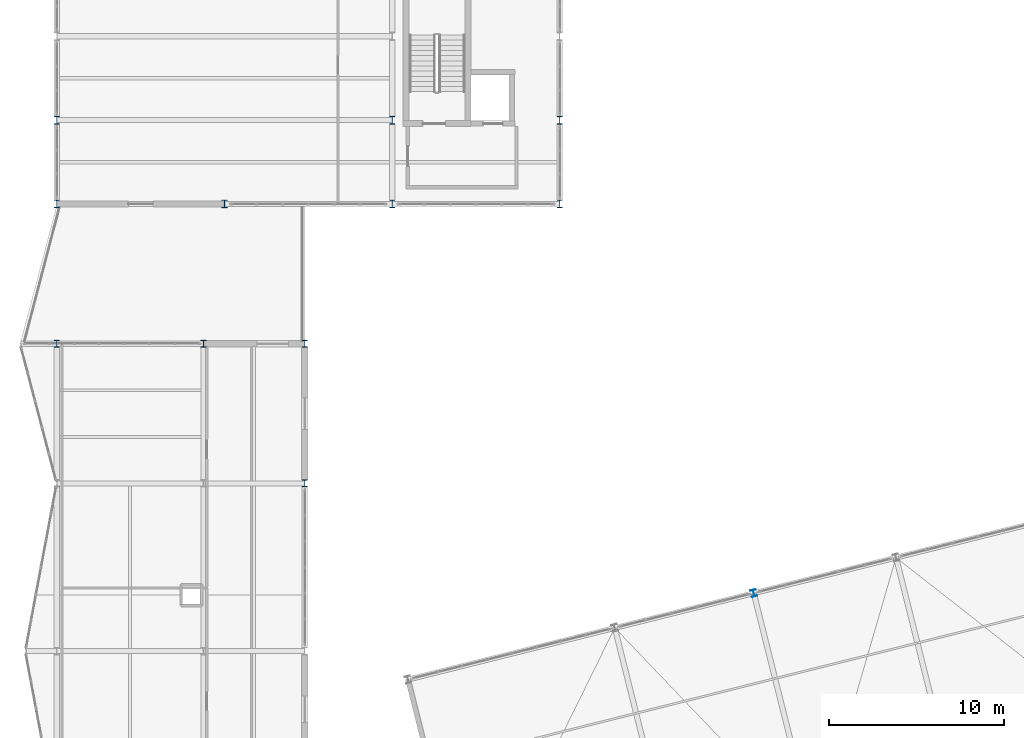
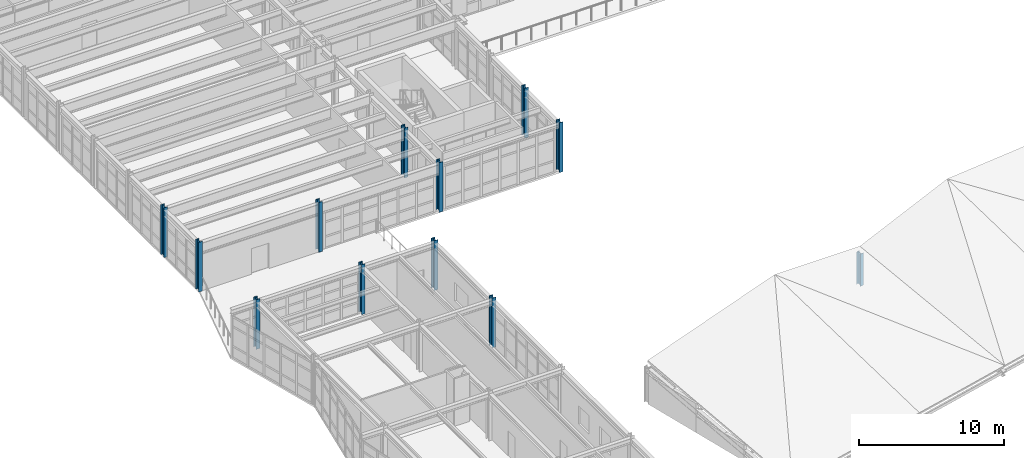
# One storey, part 2 of 47: 12 columns.
"""IFC4 building model written with IfcOpenShell, lengths in metres."""

from ifc_helpers import new_model, si_unit, direction, frame, origin, origin_2d, place, context, subcontext, project, spatial, i_section, extrude, material, material_profile, profile_set, type_object, element, save


model = new_model("IFC4")

# Units and contexts
model_context = context("Model", 3, precision=1e-05, world=origin(), true_north=direction((0.0, 1.0)))
body_context = subcontext(model_context, "Body", "Model", "MODEL_VIEW")
ifc_project = project(units=[si_unit("LENGTHUNIT", "METRE"), si_unit("AREAUNIT", "SQUARE_METRE"), si_unit("VOLUMEUNIT", "CUBIC_METRE"), si_unit("PLANEANGLEUNIT", "RADIAN"), si_unit("MASSUNIT", "GRAM", prefix="KILO")], contexts=[model_context])

# Site, building, storey
site_placement = place(None, origin())
site = spatial("IfcSite", under=ifc_project, at=site_placement, CompositionType="ELEMENT")
building_placement = place(site_placement, origin())
building = spatial("IfcBuilding", under=site, at=building_placement, Name="Nordkorset Police Headquarters", CompositionType="ELEMENT")
storey_placement = place(building_placement, frame((0.0, 0.0, 22.050048828125)))
storey = spatial("IfcBuildingStorey", under=building, at=storey_placement, Name="L05", CompositionType="ELEMENT", Elevation=22.050048828125)

# Columns
ifc_material_1 = material(Name="Steel S355J2", Category="steel")
ifc_material_profile_1 = material_profile(ifc_material_1, i_section(OverallWidth=0.300048828125, OverallDepth=0.39990234375, WebThickness=0.013427734375, FlangeThickness=0.02392578125, FilletRadius=0.027099609375, at=origin_2d()), Name="HEB 400")
ifc_profile_set_1 = profile_set([ifc_material_profile_1], Name="Steel S355J2")
column_type_1 = type_object("IfcColumnType", Name="Col_HEB_400", PredefinedType="COLUMN", material=ifc_profile_set_1)
for number, where, z_axis, x_axis, name in (
    (1, (14.199951171875, 67.199951171875, 0.0), (0.0, 0.0, 1.0), (1.0, 0.0, 0.0), "Structural Column V3_X2_4 L05"),
    (2, (0.0, 75.199951171875, 0.0), (0.0, 0.0, 1.0), (1.0, 0.0, 0.0), "Structural Column V3_X0_5 L05"),
    (3, (8.39990234375, 75.199951171875, 0.0), (0.0, 0.0, 1.0), (1.0, 0.0, 0.0), "Structural Column V3_X1_5 L05"),
    (4, (14.199951171875, 75.199951171875, 0.0), (0.0, 0.0, 1.0), (1.0, 0.0, 0.0), "Structural Column V3_X2_5 L05"),
):
    element("IfcColumn", number, at=place(storey_placement, frame(where, z_axis=z_axis, x_axis=x_axis)), inside=storey, type_object=column_type_1, Name=name, PredefinedType="COLUMN", context=body_context, shape_type="SweptSolid", body=[
        extrude(i_section(OverallWidth=0.300048828125, OverallDepth=0.39990234375, WebThickness=0.013427734375, FlangeThickness=0.02392578125, FilletRadius=0.027099609375, at=origin_2d()), origin(), (0.0, 0.0, 1.0), 4.199951171875),
    ])
column_placement = place(storey_placement, frame((39.8984375, 60.917724609375, 0.0), z_axis=(0.0, 0.0, 1.0), x_axis=(0.970142500145, 0.242535625038, 0.0)))
element("IfcColumn", 5, at=column_placement, inside=storey, type_object=column_type_1, Name="Splayed Wing Clerestory Roof Column V4_U2_V1 L05", PredefinedType="COLUMN", context=body_context, shape_type="SweptSolid", body=[
    extrude(i_section(OverallWidth=0.300048828125, OverallDepth=0.39990234375, WebThickness=0.013427734375, FlangeThickness=0.02392578125, FilletRadius=0.027099609375, at=origin_2d()), origin(), (0.0, 0.0, 1.0), 2.719970703125),
])
ifc_material_2 = material(Name="Steel S355J2", Category="steel")
ifc_material_profile_2 = material_profile(ifc_material_2, i_section(OverallWidth=0.300048828125, OverallDepth=0.449951171875, WebThickness=0.013916015625, FlangeThickness=0.02587890625, FilletRadius=0.027099609375, at=origin_2d()), Name="HEB 450")
ifc_profile_set_2 = profile_set([ifc_material_profile_2], Name="Steel S355J2")
column_type_2 = type_object("IfcColumnType", Name="Col_HEB_450", PredefinedType="COLUMN", material=ifc_profile_set_2)
for number, where, z_axis, x_axis, name in (
    (6, (0.0, 83.199951171875, 0.0), (0.0, 0.0, 1.0), (1.0, 0.0, 0.0), "Structural Column V1_W_0 L05"),
    (7, (28.800048828125, 83.199951171875, 0.0), (0.0, 0.0, 1.0), (1.0, 0.0, 0.0), "Structural Column V1_E_0 L05"),
    (8, (0.0, 88.0, 0.0), (0.0, 0.0, 1.0), (1.0, 0.0, 0.0), "Structural Column V1_W_1 L05"),
    (9, (28.800048828125, 88.0, 0.0), (0.0, 0.0, 1.0), (1.0, 0.0, 0.0), "Structural Column V1_E_1 L05"),
    (10, (9.60009765625, 83.199951171875, 0.0), (0.0, 0.0, 1.0), (1.0, 0.0, 0.0), "Structural Column V1_S_0 L05"),
    (11, (19.199951171875, 83.199951171875, 0.0), (0.0, 0.0, 1.0), (1.0, 0.0, 0.0), "Structural Column V1_S_1 L05"),
    (12, (19.199951171875, 88.0, 0.0), (0.0, 0.0, 1.0), (1.0, 0.0, 0.0), "Structural Column V1_CW_0 L05"),
):
    element("IfcColumn", number, at=place(storey_placement, frame(where, z_axis=z_axis, x_axis=x_axis)), inside=storey, type_object=column_type_2, Name=name, PredefinedType="COLUMN", context=body_context, shape_type="SweptSolid", body=[
        extrude(i_section(OverallWidth=0.300048828125, OverallDepth=0.449951171875, WebThickness=0.013916015625, FlangeThickness=0.02587890625, FilletRadius=0.027099609375, at=origin_2d()), origin(), (0.0, 0.0, 1.0), 4.199951171875),
    ])

save(model, "model.ifc")
